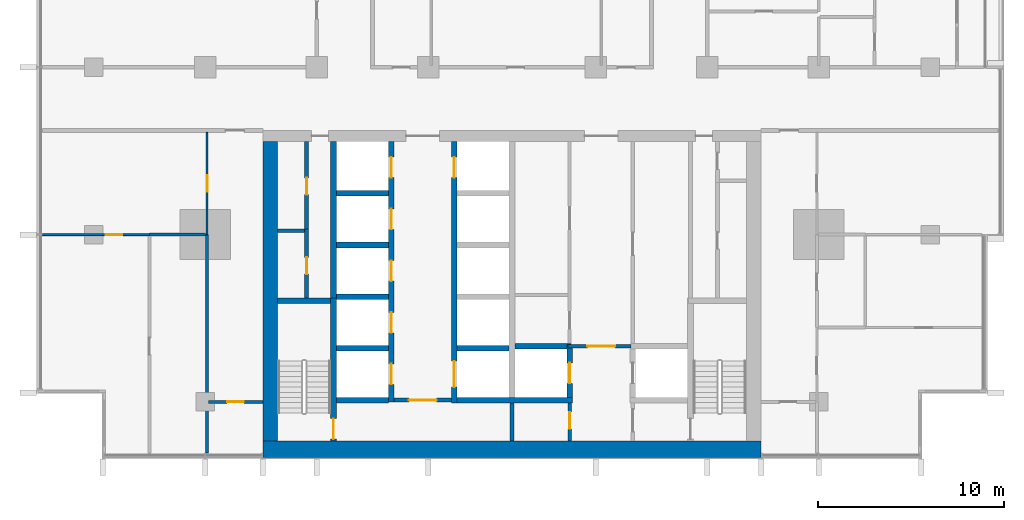
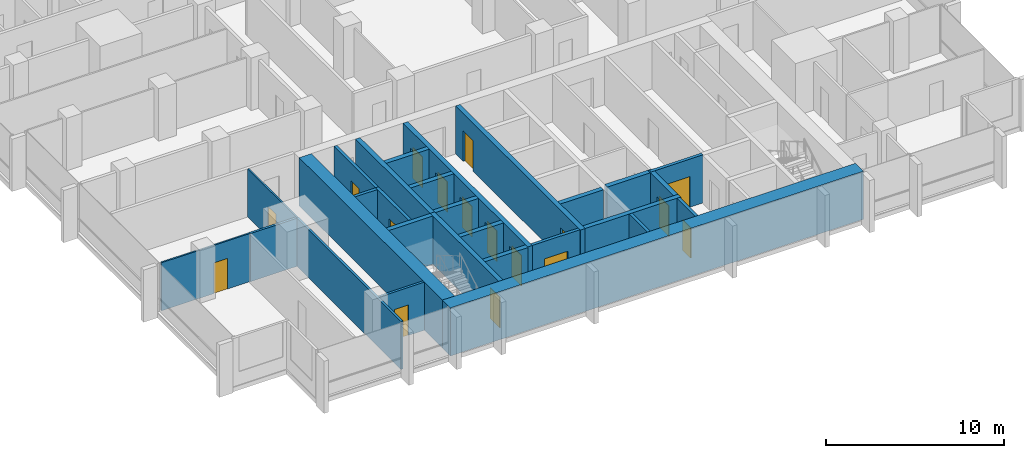
# One storey, part 7 of 17: 28 walls, 17 doors, 17 openings.
"""IFC4 building model written with IfcOpenShell, lengths in metres."""

from ifc_helpers import new_model, si_unit, direction, frame, frame_2d, origin, place, context, subcontext, project, spatial, rectangle, extrude, material, layer, layer_set, type_object, element, fill, save


model = new_model("IFC4")

# Units and contexts
model_context = context("Model", 3, precision=1e-05, world=origin(), true_north=direction((0.0, 1.0)))
body_context = subcontext(model_context, "Body", "Model", "MODEL_VIEW")
ifc_project = project(units=[si_unit("LENGTHUNIT", "METRE"), si_unit("AREAUNIT", "SQUARE_METRE"), si_unit("VOLUMEUNIT", "CUBIC_METRE"), si_unit("PLANEANGLEUNIT", "RADIAN"), si_unit("MASSUNIT", "GRAM", prefix="KILO")], contexts=[model_context])

# Site, building, storey
site_placement = place(None, origin())
site = spatial("IfcSite", under=ifc_project, at=site_placement, CompositionType="ELEMENT")
building_placement = place(site_placement, origin())
building = spatial("IfcBuilding", under=site, at=building_placement, Name="Finial Court Residences", CompositionType="ELEMENT")
storey_placement = place(building_placement, frame((0.0, 0.0, 95.5)))
storey = spatial("IfcBuildingStorey", under=building, at=storey_placement, Name="L23", CompositionType="ELEMENT", Elevation=95.5)

# Walls
ifc_material_1 = material(Name="Concrete C70/85", Category="concrete")
ifc_layer_1 = layer(ifc_material_1, 0.800048828125)
ifc_layer_set_1 = layer_set([ifc_layer_1], Name="Core outer wall 800 Concrete C70/85")
wall_type_1 = type_object("IfcWallType", Name="Core outer wall 800 Concrete C70/85", PredefinedType="SHEAR", material=ifc_layer_set_1)
wall_1_placement = place(storey_placement, frame((-13.0, -24.60009765625, 0.0), z_axis=(0.0, 0.0, 1.0), x_axis=(0.0, 1.0, 0.0)))
element("IfcWall", 1, at=wall_1_placement, inside=storey, type_object=wall_type_1, Name="Core outer wall L23-03", PredefinedType="SHEAR", context=body_context, shape_type="SweptSolid", body=[
    extrude(rectangle(XDim=16.10009765625, YDim=0.800048828125, at=frame_2d((8.050048828125, 0.0))), origin(), (0.0, 0.0, 1.0), 3.300048828125),
])
ifc_layer_2 = layer(ifc_material_1, 0.89990234375)
ifc_layer_set_2 = layer_set([ifc_layer_2], Name="Core south facade wall 900 Concrete C70/85")
wall_type_2 = type_object("IfcWallType", Name="Core south facade wall 900 Concrete C70/85", PredefinedType="SHEAR", material=ifc_layer_set_2)
wall_2_placement = place(storey_placement, frame((-13.39990234375, -25.050048828125, 0.0), z_axis=(0.0, 0.0, 1.0), x_axis=(1.0, 0.0, 0.0)))
element("IfcWall", 2, at=wall_2_placement, inside=storey, type_object=wall_type_2, Name="Core outer wall L23-01", PredefinedType="SHEAR", context=body_context, shape_type="SweptSolid", body=[
    extrude(rectangle(XDim=26.7998046875, YDim=0.89990234375, at=frame_2d((13.39990234375, 0.0))), origin(), (0.0, 0.0, 1.0), 3.300048828125),
])

# Wall, opening, door
ifc_material_2 = material(Name="Fire-rated gypsum board partition")
ifc_layer_3 = layer(ifc_material_2, 0.199951171875)
ifc_layer_set_3 = layer_set([ifc_layer_3], Name="Firefighting lobby wall 200 EI 120")
wall_type_3 = type_object("IfcWallType", Name="Firefighting lobby wall 200 EI 120", PredefinedType="PARTITIONING", material=ifc_layer_set_3)
wall_3_placement = place(storey_placement, frame((6.39990234375, -19.5, 0.0), z_axis=(0.0, 0.0, 1.0), x_axis=(-1.0, 0.0, 0.0)))
wall_3 = element("IfcWall", 3, at=wall_3_placement, inside=storey, type_object=wall_type_3, Name="Core partition L23-08", PredefinedType="PARTITIONING", context=body_context, shape_type="SweptSolid", body=[
    extrude(rectangle(XDim=3.375, YDim=0.199951171875, at=frame_2d((1.6875, 0.0))), origin(), (0.0, 0.0, 1.0), 3.300048828125),
])
opening_1_placement = place(wall_3_placement, frame((0.85009765625, 0.0, 0.0)))
opening_1 = element("IfcOpeningElement", 4, at=opening_1_placement, cuts=wall_3, Name="Opening L23-C02", PredefinedType="OPENING", context=body_context, shape_type="SweptSolid", body=[
    extrude(rectangle(XDim=1.5, YDim=2.10009765625, at=frame_2d((0.75, 1.050048828125))), frame((0.0, 0.10986328125, 0.0), z_axis=(0.0, -1.0, 0.0), x_axis=(1.0, 0.0, 0.0)), (0.0, 0.0, 1.0), 0.219970703125),
])
ifc_material_3 = material(Name="Steel fire door", Category="steel")
door_type_1 = type_object("IfcDoorType", Name="Firefighting lobby door 1500 x 2100 EI 90", OperationType="DOUBLE_DOOR_SINGLE_SWING", PredefinedType="DOOR", material=ifc_material_3)
door_1_placement = place(opening_1_placement, origin())
door_1 = element("IfcDoor", 5, at=door_1_placement, inside=storey, type_object=door_type_1, Name="Firefighting lobby door L23-C02", OperationType="DOUBLE_DOOR_SINGLE_SWING", OverallHeight=2.10009765625, OverallWidth=1.5, PredefinedType="DOOR", context=body_context, shape_type="SweptSolid", body=[
    extrude(rectangle(XDim=1.5, YDim=2.10009765625, at=frame_2d((0.75, 1.050048828125))), frame((0.0, 0.02490234375, 0.0), z_axis=(0.0, -1.0, 0.0), x_axis=(1.0, 0.0, 0.0)), (0.0, 0.0, 1.0), 0.050048828125),
])
fill(opening_1, door_1)

wall_4_placement = place(storey_placement, frame((3.10009765625, -24.60009765625, 0.0), z_axis=(0.0, 0.0, 1.0), x_axis=(0.0, 1.0, 0.0)))
wall_4 = element("IfcWall", 6, at=wall_4_placement, inside=storey, type_object=wall_type_3, Name="Core partition L23-29", PredefinedType="PARTITIONING", context=body_context, shape_type="SweptSolid", body=[
    extrude(rectangle(XDim=2.050048828125, YDim=0.199951171875, at=frame_2d((1.02490234375, 0.0))), origin(), (0.0, 0.0, 1.0), 3.300048828125),
])
opening_2_placement = place(wall_4_placement, frame((0.64990234375, 0.0, 0.0)))
opening_2 = element("IfcOpeningElement", 7, at=opening_2_placement, cuts=wall_4, Name="Opening L23-C06", PredefinedType="OPENING", context=body_context, shape_type="SweptSolid", body=[
    extrude(rectangle(XDim=0.89990234375, YDim=2.10009765625, at=frame_2d((0.449951171875, 1.050048828125))), frame((0.0, 0.10986328125, 0.0), z_axis=(0.0, -1.0, 0.0), x_axis=(1.0, 0.0, 0.0)), (0.0, 0.0, 1.0), 0.219970703125),
])
door_type_2 = type_object("IfcDoorType", Name="Riser room door 900 x 2100 EI 90", OperationType="NOTDEFINED", PredefinedType="DOOR", material=ifc_material_3)
door_2_placement = place(opening_2_placement, origin())
door_2 = element("IfcDoor", 8, at=door_2_placement, inside=storey, type_object=door_type_2, Name="Riser room door L23-C06", OperationType="SINGLE_SWING_LEFT", OverallHeight=2.10009765625, OverallWidth=0.89990234375, PredefinedType="DOOR", context=body_context, shape_type="SweptSolid", body=[
    extrude(rectangle(XDim=0.89990234375, YDim=2.10009765625, at=frame_2d((0.449951171875, 1.050048828125))), frame((0.0, 0.02490234375, 0.0), z_axis=(0.0, -1.0, 0.0), x_axis=(1.0, 0.0, 0.0)), (0.0, 0.0, 1.0), 0.050048828125),
])
fill(opening_2, door_2)

ifc_material_4 = material(Name="Gypsum board")
ifc_layer_4 = layer(ifc_material_4, 0.012451171875)
ifc_material_5 = material(Name="Mineral wool in light-gauge frame")
ifc_layer_5 = layer(ifc_material_5, 0.074951171875)
ifc_layer_6 = layer(ifc_material_4, 0.012451171875)
ifc_layer_set_4 = layer_set([ifc_layer_4, ifc_layer_5, ifc_layer_6], Name="Gypsum board partition 100")
wall_type_4 = type_object("IfcWallType", Name="Gypsum board partition 100", PredefinedType="PARTITIONING", material=ifc_layer_set_4)
wall_5_placement = place(storey_placement, frame((-25.25, -13.5, 0.0), z_axis=(0.0, 0.0, 1.0), x_axis=(1.0, 0.0, 0.0)))
wall_5 = element("IfcWall", 9, at=wall_5_placement, inside=storey, type_object=wall_type_4, Name="Partition L23-004", PredefinedType="PARTITIONING", context=body_context, shape_type="SweptSolid", body=[
    extrude(rectangle(XDim=5.75, YDim=0.10009765625, at=frame_2d((2.875, 0.0))), origin(), (0.0, 0.0, 1.0), 3.300048828125),
])
opening_3_placement = place(wall_5_placement, frame((3.39990234375, 0.0, 0.0)))
opening_3 = element("IfcOpeningElement", 10, at=opening_3_placement, cuts=wall_5, Name="Opening L23-D004", PredefinedType="OPENING", context=body_context, shape_type="SweptSolid", body=[
    extrude(rectangle(XDim=0.89990234375, YDim=2.10009765625, at=frame_2d((0.449951171875, 1.050048828125))), frame((0.0, 0.06005859375, 0.0), z_axis=(0.0, -1.0, 0.0), x_axis=(1.0, 0.0, 0.0)), (0.0, 0.0, 1.0), 0.1201171875),
])
ifc_material_6 = material(Name="Timber door leaf in timber frame", Category="wood")
door_type_3 = type_object("IfcDoorType", Name="Door set 900 x 2100", OperationType="SINGLE_SWING_LEFT", PredefinedType="DOOR", material=ifc_material_6)
door_3_placement = place(opening_3_placement, origin())
door_3 = element("IfcDoor", 11, at=door_3_placement, inside=storey, type_object=door_type_3, Name="Door L23-D004", OperationType="SINGLE_SWING_RIGHT", OverallHeight=2.10009765625, OverallWidth=0.89990234375, PredefinedType="DOOR", context=body_context, shape_type="SweptSolid", body=[
    extrude(rectangle(XDim=0.89990234375, YDim=2.10009765625, at=frame_2d((0.449951171875, 1.050048828125))), frame((0.0, 0.02490234375, 0.0), z_axis=(0.0, -1.0, 0.0), x_axis=(1.0, 0.0, 0.0)), (0.0, 0.0, 1.0), 0.050048828125),
])
fill(opening_3, door_3)

wall_6_placement = place(storey_placement, frame((-16.39990234375, -13.5, 0.0), z_axis=(0.0, 0.0, 1.0), x_axis=(0.0, 1.0, 0.0)))
wall_6 = element("IfcWall", 12, at=wall_6_placement, inside=storey, type_object=wall_type_4, Name="Partition L23-044", PredefinedType="PARTITIONING", context=body_context, shape_type="SweptSolid", body=[
    extrude(rectangle(XDim=5.5, YDim=0.10009765625, at=frame_2d((2.75, 0.0))), origin(), (0.0, 0.0, 1.0), 3.300048828125),
])
opening_4_placement = place(wall_6_placement, frame((2.300048828125, 0.0, 0.0)))
opening_4 = element("IfcOpeningElement", 13, at=opening_4_placement, cuts=wall_6, Name="Opening L23-D030", PredefinedType="OPENING", context=body_context, shape_type="SweptSolid", body=[
    extrude(rectangle(XDim=0.89990234375, YDim=2.10009765625, at=frame_2d((0.449951171875, 1.050048828125))), frame((0.0, 0.06005859375, 0.0), z_axis=(0.0, -1.0, 0.0), x_axis=(1.0, 0.0, 0.0)), (0.0, 0.0, 1.0), 0.1201171875),
])
door_4_placement = place(opening_4_placement, origin())
door_4 = element("IfcDoor", 14, at=door_4_placement, inside=storey, type_object=door_type_3, Name="Door L23-D030", OperationType="SINGLE_SWING_LEFT", OverallHeight=2.10009765625, OverallWidth=0.89990234375, PredefinedType="DOOR", context=body_context, shape_type="SweptSolid", body=[
    extrude(rectangle(XDim=0.89990234375, YDim=2.10009765625, at=frame_2d((0.449951171875, 1.050048828125))), frame((0.0, 0.02490234375, 0.0), z_axis=(0.0, -1.0, 0.0), x_axis=(1.0, 0.0, 0.0)), (0.0, 0.0, 1.0), 0.050048828125),
])
fill(opening_4, door_4)

ifc_material_7 = material(Name="Moisture-resistant gypsum board")
ifc_layer_7 = layer(ifc_material_7, 0.012451171875)
ifc_layer_8 = layer(ifc_material_5, 0.125)
ifc_layer_9 = layer(ifc_material_7, 0.012451171875)
ifc_layer_set_5 = layer_set([ifc_layer_7, ifc_layer_8, ifc_layer_9], Name="Gypsum board wet-area partition 150")
wall_type_5 = type_object("IfcWallType", Name="Gypsum board wet-area partition 150", PredefinedType="PARTITIONING", material=ifc_layer_set_5)
wall_7_placement = place(storey_placement, frame((-16.324951171875, -22.5, 0.0), z_axis=(0.0, 0.0, 1.0), x_axis=(1.0, 0.0, 0.0)))
wall_7 = element("IfcWall", 15, at=wall_7_placement, inside=storey, type_object=wall_type_5, Name="Partition L23-000", PredefinedType="PARTITIONING", context=body_context, shape_type="SweptSolid", body=[
    extrude(rectangle(XDim=2.925048828125, YDim=0.14990234375, at=frame_2d((1.46240234375, 0.0))), origin(), (0.0, 0.0, 1.0), 3.300048828125),
])
opening_5_placement = place(wall_7_placement, frame((1.0, 0.0, 0.0)))
opening_5 = element("IfcOpeningElement", 16, at=opening_5_placement, cuts=wall_7, Name="Opening L23-D001", PredefinedType="OPENING", context=body_context, shape_type="SweptSolid", body=[
    extrude(rectangle(XDim=0.89990234375, YDim=2.10009765625, at=frame_2d((0.449951171875, 1.050048828125))), frame((0.0, 0.0849609375, 0.0), z_axis=(0.0, -1.0, 0.0), x_axis=(1.0, 0.0, 0.0)), (0.0, 0.0, 1.0), 0.169921875),
])
door_5_placement = place(opening_5_placement, origin())
door_5 = element("IfcDoor", 17, at=door_5_placement, inside=storey, type_object=door_type_3, Name="Door L23-D001", OperationType="SINGLE_SWING_RIGHT", OverallHeight=2.10009765625, OverallWidth=0.89990234375, PredefinedType="DOOR", context=body_context, shape_type="SweptSolid", body=[
    extrude(rectangle(XDim=0.89990234375, YDim=2.10009765625, at=frame_2d((0.449951171875, 1.050048828125))), frame((0.0, 0.02490234375, 0.0), z_axis=(0.0, -1.0, 0.0), x_axis=(1.0, 0.0, 0.0)), (0.0, 0.0, 1.0), 0.050048828125),
])
fill(opening_5, door_5)

# Walls
wall_8_placement = place(storey_placement, frame((-19.5, -13.5, 0.0), z_axis=(0.0, 0.0, 1.0), x_axis=(1.0, 0.0, 0.0)))
element("IfcWall", 18, at=wall_8_placement, inside=storey, type_object=wall_type_5, Name="Partition L23-006", PredefinedType="PARTITIONING", context=body_context, shape_type="SweptSolid", body=[
    extrude(rectangle(XDim=3.02490234375, YDim=0.14990234375, at=frame_2d((1.512451171875, 0.0))), origin(), (0.0, 0.0, 1.0), 3.300048828125),
])
wall_9_placement = place(storey_placement, frame((-16.39990234375, -25.25, 0.0), z_axis=(0.0, 0.0, 1.0), x_axis=(0.0, 1.0, 0.0)))
element("IfcWall", 19, at=wall_9_placement, inside=storey, type_object=wall_type_5, Name="Partition L23-045", PredefinedType="PARTITIONING", context=body_context, shape_type="SweptSolid", body=[
    extrude(rectangle(XDim=11.75, YDim=0.14990234375, at=frame_2d((5.875, 0.0))), origin(), (0.0, 0.0, 1.0), 3.300048828125),
])
ifc_layer_10 = layer(ifc_material_1, 0.300048828125)
ifc_layer_set_6 = layer_set([ifc_layer_10], Name="Lift shaft and stair wall 300 Concrete C70/85")
wall_type_6 = type_object("IfcWallType", Name="Lift shaft and stair wall 300 Concrete C70/85", PredefinedType="SHEAR", material=ifc_layer_set_6)
wall_10_placement = place(storey_placement, frame((-9.449951171875, -22.39990234375, 0.0), z_axis=(0.0, 0.0, 1.0), x_axis=(1.0, 0.0, 0.0)))
element("IfcWall", 20, at=wall_10_placement, inside=storey, type_object=wall_type_6, Name="Core wall L23-01", PredefinedType="SHEAR", context=body_context, shape_type="SweptSolid", body=[
    extrude(rectangle(XDim=2.800048828125, YDim=0.300048828125, at=frame_2d((1.39990234375, 0.0))), origin(), (0.0, 0.0, 1.0), 3.300048828125),
])
wall_11_placement = place(storey_placement, frame((-2.949951171875, -22.39990234375, 0.0), z_axis=(0.0, 0.0, 1.0), x_axis=(1.0, 0.0, 0.0)))
element("IfcWall", 21, at=wall_11_placement, inside=storey, type_object=wall_type_6, Name="Core wall L23-03", PredefinedType="SHEAR", context=body_context, shape_type="SweptSolid", body=[
    extrude(rectangle(XDim=6.199951171875, YDim=0.300048828125, at=frame_2d((3.10009765625, 0.0))), origin(), (0.0, 0.0, 1.0), 3.300048828125),
])
for number, where, z_axis, x_axis, name in (
    (22, (-9.449951171875, -19.6201171875, 0.0), (0.0, 0.0, 1.0), (1.0, 0.0, 0.0), "Core wall L23-05"),
    (23, (-2.949951171875, -19.6201171875, 0.0), (0.0, 0.0, 1.0), (1.0, 0.0, 0.0), "Core wall L23-06"),
):
    element("IfcWall", number, at=place(storey_placement, frame(where, z_axis=z_axis, x_axis=x_axis)), inside=storey, type_object=wall_type_6, Name=name, PredefinedType="SHEAR", context=body_context, shape_type="SweptSolid", body=[
        extrude(rectangle(XDim=2.800048828125, YDim=0.300048828125, at=frame_2d((1.39990234375, 0.0))), origin(), (0.0, 0.0, 1.0), 3.300048828125),
    ])
wall_12_placement = place(storey_placement, frame((0.14990234375, -19.5, 0.0), z_axis=(0.0, 0.0, 1.0), x_axis=(1.0, 0.0, 0.0)))
element("IfcWall", 24, at=wall_12_placement, inside=storey, type_object=wall_type_6, Name="Core wall L23-07", PredefinedType="SHEAR", context=body_context, shape_type="SweptSolid", body=[
    extrude(rectangle(XDim=3.025146484375, YDim=0.300048828125, at=frame_2d((1.5126953125, 0.0))), origin(), (0.0, 0.0, 1.0), 3.300048828125),
])
wall_13_placement = place(storey_placement, frame((-12.60009765625, -17.050048828125, 0.0), z_axis=(0.0, 0.0, 1.0), x_axis=(1.0, 0.0, 0.0)))
element("IfcWall", 25, at=wall_13_placement, inside=storey, type_object=wall_type_6, Name="Core wall L23-10", PredefinedType="SHEAR", context=body_context, shape_type="SweptSolid", body=[
    extrude(rectangle(XDim=2.85009765625, YDim=0.300048828125, at=frame_2d((1.425048828125, 0.0))), origin(), (0.0, 0.0, 1.0), 3.300048828125),
])
for number, where, z_axis, x_axis, name in (
    (26, (-9.449951171875, -16.840087890625, 0.0), (0.0, 0.0, 1.0), (1.0, 0.0, 0.0), "Core wall L23-12"),
    (27, (-9.449951171875, -14.06005859375, 0.0), (0.0, 0.0, 1.0), (1.0, 0.0, 0.0), "Core wall L23-15"),
    (28, (-9.449951171875, -11.280029296875, 0.0), (0.0, 0.0, 1.0), (1.0, 0.0, 0.0), "Core wall L23-18"),
):
    element("IfcWall", number, at=place(storey_placement, frame(where, z_axis=z_axis, x_axis=x_axis)), inside=storey, type_object=wall_type_6, Name=name, PredefinedType="SHEAR", context=body_context, shape_type="SweptSolid", body=[
        extrude(rectangle(XDim=2.800048828125, YDim=0.300048828125, at=frame_2d((1.39990234375, 0.0))), origin(), (0.0, 0.0, 1.0), 3.300048828125),
    ])

# Wall, opening, door
wall_14_placement = place(storey_placement, frame((-9.60009765625, -24.60009765625, 0.0), z_axis=(0.0, 0.0, 1.0), x_axis=(0.0, 1.0, 0.0)))
wall_14 = element("IfcWall", 29, at=wall_14_placement, inside=storey, type_object=wall_type_6, Name="Core wall L23-23", PredefinedType="SHEAR", context=body_context, shape_type="SweptSolid", body=[
    extrude(rectangle(XDim=7.7001953125, YDim=0.300048828125, at=frame_2d((3.85009765625, 0.0))), origin(), (0.0, 0.0, 1.0), 3.300048828125),
])
opening_6_placement = place(wall_14_placement, frame((0.10009765625, 0.0, 0.0)))
opening_6 = element("IfcOpeningElement", 30, at=opening_6_placement, cuts=wall_14, Name="Opening L23-C16", PredefinedType="OPENING", context=body_context, shape_type="SweptSolid", body=[
    extrude(rectangle(XDim=1.10009765625, YDim=2.10009765625, at=frame_2d((0.550048828125, 1.050048828125))), frame((0.0, 0.159912109375, 0.0), z_axis=(0.0, -1.0, 0.0), x_axis=(1.0, 0.0, 0.0)), (0.0, 0.0, 1.0), 0.320068359375),
])
door_type_4 = type_object("IfcDoorType", Name="Stair door 1100 x 2100 EI 90", OperationType="NOTDEFINED", PredefinedType="DOOR", material=ifc_material_3)
door_6_placement = place(opening_6_placement, origin())
door_6 = element("IfcDoor", 31, at=door_6_placement, inside=storey, type_object=door_type_4, Name="Stair door L23-C16", OperationType="SINGLE_SWING_LEFT", OverallHeight=2.10009765625, OverallWidth=1.10009765625, PredefinedType="DOOR", context=body_context, shape_type="SweptSolid", body=[
    extrude(rectangle(XDim=1.10009765625, YDim=2.10009765625, at=frame_2d((0.550048828125, 1.050048828125))), frame((0.0, 0.02490234375, 0.0), z_axis=(0.0, -1.0, 0.0), x_axis=(1.0, 0.0, 0.0)), (0.0, 0.0, 1.0), 0.050048828125),
])
fill(opening_6, door_6)

# Wall
wall_15_placement = place(storey_placement, frame((-9.60009765625, -17.199951171875, 0.0), z_axis=(0.0, 0.0, 1.0), x_axis=(0.0, 1.0, 0.0)))
element("IfcWall", 32, at=wall_15_placement, inside=storey, type_object=wall_type_6, Name="Core wall L23-24", PredefinedType="SHEAR", context=body_context, shape_type="SweptSolid", body=[
    extrude(rectangle(XDim=8.699951171875, YDim=0.300048828125, at=frame_2d((4.35009765625, 0.0))), origin(), (0.0, 0.0, 1.0), 3.300048828125),
])

# Wall, openings, doors
wall_16_placement = place(storey_placement, frame((-6.5, -22.5, 0.0), z_axis=(0.0, 0.0, 1.0), x_axis=(0.0, 1.0, 0.0)))
wall_16 = element("IfcWall", 33, at=wall_16_placement, inside=storey, type_object=wall_type_6, Name="Core wall L23-25", PredefinedType="SHEAR", context=body_context, shape_type="SweptSolid", body=[
    extrude(rectangle(XDim=14.0, YDim=0.300048828125, at=frame_2d((7.0, 0.0))), origin(), (0.0, 0.0, 1.0), 3.300048828125),
])
opening_7_placement = place(wall_16_placement, frame((0.93994140625, 0.0, 0.0)))
opening_7 = element("IfcOpeningElement", 34, at=opening_7_placement, cuts=wall_16, Name="Opening L23-LD03", PredefinedType="OPENING", context=body_context, shape_type="SweptSolid", body=[
    extrude(rectangle(XDim=1.10009765625, YDim=2.10009765625, at=frame_2d((0.550048828125, 1.050048828125))), frame((0.0, 0.159912109375, 0.0), z_axis=(0.0, -1.0, 0.0), x_axis=(1.0, 0.0, 0.0)), (0.0, 0.0, 1.0), 0.320068359375),
])
opening_8_placement = place(wall_16_placement, frame((3.719970703125, 0.0, 0.0)))
opening_8 = element("IfcOpeningElement", 35, at=opening_8_placement, cuts=wall_16, Name="Opening L23-LD04", PredefinedType="OPENING", context=body_context, shape_type="SweptSolid", body=[
    extrude(rectangle(XDim=1.10009765625, YDim=2.10009765625, at=frame_2d((0.550048828125, 1.050048828125))), frame((0.0, 0.159912109375, 0.0), z_axis=(0.0, -1.0, 0.0), x_axis=(1.0, 0.0, 0.0)), (0.0, 0.0, 1.0), 0.320068359375),
])
opening_9_placement = place(wall_16_placement, frame((6.5, 0.0, 0.0)))
opening_9 = element("IfcOpeningElement", 36, at=opening_9_placement, cuts=wall_16, Name="Opening L23-LD05", PredefinedType="OPENING", context=body_context, shape_type="SweptSolid", body=[
    extrude(rectangle(XDim=1.10009765625, YDim=2.10009765625, at=frame_2d((0.550048828125, 1.050048828125))), frame((0.0, 0.159912109375, 0.0), z_axis=(0.0, -1.0, 0.0), x_axis=(1.0, 0.0, 0.0)), (0.0, 0.0, 1.0), 0.320068359375),
])
opening_10_placement = place(wall_16_placement, frame((9.280029296875, 0.0, 0.0)))
opening_10 = element("IfcOpeningElement", 37, at=opening_10_placement, cuts=wall_16, Name="Opening L23-LD06", PredefinedType="OPENING", context=body_context, shape_type="SweptSolid", body=[
    extrude(rectangle(XDim=1.10009765625, YDim=2.10009765625, at=frame_2d((0.550048828125, 1.050048828125))), frame((0.0, 0.159912109375, 0.0), z_axis=(0.0, -1.0, 0.0), x_axis=(1.0, 0.0, 0.0)), (0.0, 0.0, 1.0), 0.320068359375),
])
opening_11_placement = place(wall_16_placement, frame((12.06005859375, 0.0, 0.0)))
opening_11 = element("IfcOpeningElement", 38, at=opening_11_placement, cuts=wall_16, Name="Opening L23-LD07", PredefinedType="OPENING", context=body_context, shape_type="SweptSolid", body=[
    extrude(rectangle(XDim=1.10009765625, YDim=2.10009765625, at=frame_2d((0.550048828125, 1.050048828125))), frame((0.0, 0.159912109375, 0.0), z_axis=(0.0, -1.0, 0.0), x_axis=(1.0, 0.0, 0.0)), (0.0, 0.0, 1.0), 0.320068359375),
])
ifc_material_8 = material(Name="Stainless steel lift door", Category="steel")
door_type_5 = type_object("IfcDoorType", Name="Lift landing door 1100 x 2100 EI 90", OperationType="DOUBLE_DOOR_SLIDING", PredefinedType="DOOR", material=ifc_material_8)
door_7_placement = place(opening_7_placement, origin())
door_7 = element("IfcDoor", 39, at=door_7_placement, inside=storey, type_object=door_type_5, Name="Lift landing door LR1 L23", OperationType="DOUBLE_DOOR_SLIDING", OverallHeight=2.10009765625, OverallWidth=1.10009765625, PredefinedType="DOOR", context=body_context, shape_type="SweptSolid", body=[
    extrude(rectangle(XDim=1.10009765625, YDim=2.10009765625, at=frame_2d((0.550048828125, 1.050048828125))), frame((0.0, 0.02490234375, 0.0), z_axis=(0.0, -1.0, 0.0), x_axis=(1.0, 0.0, 0.0)), (0.0, 0.0, 1.0), 0.050048828125),
])
fill(opening_7, door_7)
door_8_placement = place(opening_8_placement, origin())
door_8 = element("IfcDoor", 40, at=door_8_placement, inside=storey, type_object=door_type_5, Name="Lift landing door LR2 L23", OperationType="DOUBLE_DOOR_SLIDING", OverallHeight=2.10009765625, OverallWidth=1.10009765625, PredefinedType="DOOR", context=body_context, shape_type="SweptSolid", body=[
    extrude(rectangle(XDim=1.10009765625, YDim=2.10009765625, at=frame_2d((0.550048828125, 1.050048828125))), frame((0.0, 0.02490234375, 0.0), z_axis=(0.0, -1.0, 0.0), x_axis=(1.0, 0.0, 0.0)), (0.0, 0.0, 1.0), 0.050048828125),
])
fill(opening_8, door_8)
door_9_placement = place(opening_9_placement, origin())
door_9 = element("IfcDoor", 41, at=door_9_placement, inside=storey, type_object=door_type_5, Name="Lift landing door LR3 L23", OperationType="DOUBLE_DOOR_SLIDING", OverallHeight=2.10009765625, OverallWidth=1.10009765625, PredefinedType="DOOR", context=body_context, shape_type="SweptSolid", body=[
    extrude(rectangle(XDim=1.10009765625, YDim=2.10009765625, at=frame_2d((0.550048828125, 1.050048828125))), frame((0.0, 0.02490234375, 0.0), z_axis=(0.0, -1.0, 0.0), x_axis=(1.0, 0.0, 0.0)), (0.0, 0.0, 1.0), 0.050048828125),
])
fill(opening_9, door_9)
door_10_placement = place(opening_10_placement, origin())
door_10 = element("IfcDoor", 42, at=door_10_placement, inside=storey, type_object=door_type_5, Name="Lift landing door LR4 L23", OperationType="DOUBLE_DOOR_SLIDING", OverallHeight=2.10009765625, OverallWidth=1.10009765625, PredefinedType="DOOR", context=body_context, shape_type="SweptSolid", body=[
    extrude(rectangle(XDim=1.10009765625, YDim=2.10009765625, at=frame_2d((0.550048828125, 1.050048828125))), frame((0.0, 0.02490234375, 0.0), z_axis=(0.0, -1.0, 0.0), x_axis=(1.0, 0.0, 0.0)), (0.0, 0.0, 1.0), 0.050048828125),
])
fill(opening_10, door_10)
door_11_placement = place(opening_11_placement, origin())
door_11 = element("IfcDoor", 43, at=door_11_placement, inside=storey, type_object=door_type_5, Name="Lift landing door LR5 L23", OperationType="DOUBLE_DOOR_SLIDING", OverallHeight=2.10009765625, OverallWidth=1.10009765625, PredefinedType="DOOR", context=body_context, shape_type="SweptSolid", body=[
    extrude(rectangle(XDim=1.10009765625, YDim=2.10009765625, at=frame_2d((0.550048828125, 1.050048828125))), frame((0.0, 0.02490234375, 0.0), z_axis=(0.0, -1.0, 0.0), x_axis=(1.0, 0.0, 0.0)), (0.0, 0.0, 1.0), 0.050048828125),
])
fill(opening_11, door_11)

wall_17_placement = place(storey_placement, frame((-3.10009765625, -22.550048828125, 0.0), z_axis=(0.0, 0.0, 1.0), x_axis=(0.0, 1.0, 0.0)))
wall_17 = element("IfcWall", 44, at=wall_17_placement, inside=storey, type_object=wall_type_6, Name="Core wall L23-26", PredefinedType="SHEAR", context=body_context, shape_type="SweptSolid", body=[
    extrude(rectangle(XDim=14.050048828125, YDim=0.300048828125, at=frame_2d((7.02490234375, 0.0))), origin(), (0.0, 0.0, 1.0), 3.300048828125),
])
opening_12_placement = place(wall_17_placement, frame((12.110107421875, 0.0, 0.0)))
opening_12 = element("IfcOpeningElement", 45, at=opening_12_placement, cuts=wall_17, Name="Opening L23-LD08", PredefinedType="OPENING", context=body_context, shape_type="SweptSolid", body=[
    extrude(rectangle(XDim=1.10009765625, YDim=2.10009765625, at=frame_2d((0.550048828125, 1.050048828125))), frame((0.0, 0.159912109375, 0.0), z_axis=(0.0, -1.0, 0.0), x_axis=(1.0, 0.0, 0.0)), (0.0, 0.0, 1.0), 0.320068359375),
])
opening_13_placement = place(wall_17_placement, frame((0.840087890625, 0.0, 0.0)))
opening_13 = element("IfcOpeningElement", 46, at=opening_13_placement, cuts=wall_17, Name="Opening L23-LD09", PredefinedType="OPENING", context=body_context, shape_type="SweptSolid", body=[
    extrude(rectangle(XDim=1.39990234375, YDim=2.10009765625, at=frame_2d((0.699951171875, 1.050048828125))), frame((0.0, 0.159912109375, 0.0), z_axis=(0.0, -1.0, 0.0), x_axis=(1.0, 0.0, 0.0)), (0.0, 0.0, 1.0), 0.320068359375),
])
door_12_placement = place(opening_12_placement, origin())
door_12 = element("IfcDoor", 47, at=door_12_placement, inside=storey, type_object=door_type_5, Name="Lift landing door LR6 L23", OperationType="DOUBLE_DOOR_SLIDING", OverallHeight=2.10009765625, OverallWidth=1.10009765625, PredefinedType="DOOR", context=body_context, shape_type="SweptSolid", body=[
    extrude(rectangle(XDim=1.10009765625, YDim=2.10009765625, at=frame_2d((0.550048828125, 1.050048828125))), frame((0.0, 0.02490234375, 0.0), z_axis=(0.0, -1.0, 0.0), x_axis=(1.0, 0.0, 0.0)), (0.0, 0.0, 1.0), 0.050048828125),
])
fill(opening_12, door_12)
door_type_6 = type_object("IfcDoorType", Name="Lift landing door 1400 x 2100 EI 90", OperationType="DOUBLE_DOOR_SLIDING", PredefinedType="DOOR", material=ifc_material_8)
door_13_placement = place(opening_13_placement, origin())
door_13 = element("IfcDoor", 48, at=door_13_placement, inside=storey, type_object=door_type_6, Name="Lift landing door SV1 L23", OperationType="DOUBLE_DOOR_SLIDING", OverallHeight=2.10009765625, OverallWidth=1.39990234375, PredefinedType="DOOR", context=body_context, shape_type="SweptSolid", body=[
    extrude(rectangle(XDim=1.39990234375, YDim=2.10009765625, at=frame_2d((0.699951171875, 1.050048828125))), frame((0.0, 0.02490234375, 0.0), z_axis=(0.0, -1.0, 0.0), x_axis=(1.0, 0.0, 0.0)), (0.0, 0.0, 1.0), 0.050048828125),
])
fill(opening_13, door_13)

# Wall, opening, door
wall_18_placement = place(storey_placement, frame((3.10009765625, -22.25, 0.0), z_axis=(0.0, 0.0, 1.0), x_axis=(0.0, 1.0, 0.0)))
wall_18 = element("IfcWall", 49, at=wall_18_placement, inside=storey, type_object=wall_type_6, Name="Core wall L23-30", PredefinedType="SHEAR", context=body_context, shape_type="SweptSolid", body=[
    extrude(rectangle(XDim=2.85009765625, YDim=0.300048828125, at=frame_2d((1.425048828125, 0.0))), origin(), (0.0, 0.0, 1.0), 3.300048828125),
])
opening_14_placement = place(wall_18_placement, frame((0.75, 0.0, 0.0)))
opening_14 = element("IfcOpeningElement", 50, at=opening_14_placement, cuts=wall_18, Name="Opening L23-LD01", PredefinedType="OPENING", context=body_context, shape_type="SweptSolid", body=[
    extrude(rectangle(XDim=1.10009765625, YDim=2.10009765625, at=frame_2d((0.550048828125, 1.050048828125))), frame((0.0, 0.159912109375, 0.0), z_axis=(0.0, -1.0, 0.0), x_axis=(1.0, 0.0, 0.0)), (0.0, 0.0, 1.0), 0.320068359375),
])
door_14_placement = place(opening_14_placement, origin())
door_14 = element("IfcDoor", 51, at=door_14_placement, inside=storey, type_object=door_type_5, Name="Lift landing door FF1 L23", OperationType="DOUBLE_DOOR_SLIDING", OverallHeight=2.10009765625, OverallWidth=1.10009765625, PredefinedType="DOOR", context=body_context, shape_type="SweptSolid", body=[
    extrude(rectangle(XDim=1.10009765625, YDim=2.10009765625, at=frame_2d((0.550048828125, 1.050048828125))), frame((0.0, 0.02490234375, 0.0), z_axis=(0.0, -1.0, 0.0), x_axis=(1.0, 0.0, 0.0)), (0.0, 0.0, 1.0), 0.050048828125),
])
fill(opening_14, door_14)

# Wall
ifc_layer_11 = layer(ifc_material_2, 0.199951171875)
ifc_layer_set_7 = layer_set([ifc_layer_11], Name="Riser room wall 200 EI 120")
wall_type_7 = type_object("IfcWallType", Name="Riser room wall 200 EI 120", PredefinedType="PARTITIONING", material=ifc_layer_set_7)
wall_19_placement = place(storey_placement, frame((-12.60009765625, -13.300048828125, 0.0), z_axis=(0.0, 0.0, 1.0), x_axis=(1.0, 0.0, 0.0)))
element("IfcWall", 52, at=wall_19_placement, inside=storey, type_object=wall_type_7, Name="Core partition L23-17", PredefinedType="PARTITIONING", context=body_context, shape_type="SweptSolid", body=[
    extrude(rectangle(XDim=1.4501953125, YDim=0.199951171875, at=frame_2d((0.72509765625, 0.0))), origin(), (0.0, 0.0, 1.0), 3.300048828125),
])

# Wall, opening, door
wall_20_placement = place(storey_placement, frame((-11.050048828125, -13.39990234375, 0.0), z_axis=(0.0, 0.0, 1.0), x_axis=(0.0, 1.0, 0.0)))
wall_20 = element("IfcWall", 53, at=wall_20_placement, inside=storey, type_object=wall_type_7, Name="Core partition L23-22", PredefinedType="PARTITIONING", context=body_context, shape_type="SweptSolid", body=[
    extrude(rectangle(XDim=4.89990234375, YDim=0.199951171875, at=frame_2d((2.449951171875, 0.0))), origin(), (0.0, 0.0, 1.0), 3.300048828125),
])
opening_15_placement = place(wall_20_placement, frame((2.050048828125, 0.0, 0.0)))
opening_15 = element("IfcOpeningElement", 54, at=opening_15_placement, cuts=wall_20, Name="Opening L23-C07", PredefinedType="OPENING", context=body_context, shape_type="SweptSolid", body=[
    extrude(rectangle(XDim=0.89990234375, YDim=2.10009765625, at=frame_2d((0.449951171875, 1.050048828125))), frame((0.0, 0.10986328125, 0.0), z_axis=(0.0, -1.0, 0.0), x_axis=(1.0, 0.0, 0.0)), (0.0, 0.0, 1.0), 0.219970703125),
])
door_15_placement = place(opening_15_placement, origin())
door_15 = element("IfcDoor", 55, at=door_15_placement, inside=storey, type_object=door_type_2, Name="Riser room door L23-C07", OperationType="SINGLE_SWING_LEFT", OverallHeight=2.10009765625, OverallWidth=0.89990234375, PredefinedType="DOOR", context=body_context, shape_type="SweptSolid", body=[
    extrude(rectangle(XDim=0.89990234375, YDim=2.10009765625, at=frame_2d((0.449951171875, 1.050048828125))), frame((0.0, 0.02490234375, 0.0), z_axis=(0.0, -1.0, 0.0), x_axis=(1.0, 0.0, 0.0)), (0.0, 0.0, 1.0), 0.050048828125),
])
fill(opening_15, door_15)

# Wall
wall_21_placement = place(storey_placement, frame((0.0, -24.60009765625, 0.0), z_axis=(0.0, 0.0, 1.0), x_axis=(0.0, 1.0, 0.0)))
element("IfcWall", 56, at=wall_21_placement, inside=storey, type_object=wall_type_7, Name="Core partition L23-27", PredefinedType="PARTITIONING", context=body_context, shape_type="SweptSolid", body=[
    extrude(rectangle(XDim=2.050048828125, YDim=0.199951171875, at=frame_2d((1.02490234375, 0.0))), origin(), (0.0, 0.0, 1.0), 3.300048828125),
])

# Wall, opening, door
ifc_layer_12 = layer(ifc_material_2, 0.199951171875)
ifc_layer_set_8 = layer_set([ifc_layer_12], Name="Stair passage wall 200 EI 180")
wall_type_8 = type_object("IfcWallType", Name="Stair passage wall 200 EI 180", PredefinedType="PARTITIONING", material=ifc_layer_set_8)
wall_22_placement = place(storey_placement, frame((-3.25, -22.39990234375, 0.0), z_axis=(0.0, 0.0, 1.0), x_axis=(-1.0, 0.0, 0.0)))
wall_22 = element("IfcWall", 57, at=wall_22_placement, inside=storey, type_object=wall_type_8, Name="Core partition L23-02", PredefinedType="PARTITIONING", context=body_context, shape_type="SweptSolid", body=[
    extrude(rectangle(XDim=3.10009765625, YDim=0.199951171875, at=frame_2d((1.550048828125, 0.0))), origin(), (0.0, 0.0, 1.0), 3.300048828125),
])
opening_16_placement = place(wall_22_placement, frame((0.800048828125, 0.0, 0.0)))
opening_16 = element("IfcOpeningElement", 58, at=opening_16_placement, cuts=wall_22, Name="Opening L23-C03", PredefinedType="OPENING", context=body_context, shape_type="SweptSolid", body=[
    extrude(rectangle(XDim=1.5, YDim=2.10009765625, at=frame_2d((0.75, 1.050048828125))), frame((0.0, 0.10986328125, 0.0), z_axis=(0.0, -1.0, 0.0), x_axis=(1.0, 0.0, 0.0)), (0.0, 0.0, 1.0), 0.219970703125),
])
door_type_7 = type_object("IfcDoorType", Name="Lift lobby door 1500 x 2100 EI 60", OperationType="DOUBLE_DOOR_SINGLE_SWING", PredefinedType="DOOR", material=ifc_material_3)
door_16_placement = place(opening_16_placement, origin())
door_16 = element("IfcDoor", 59, at=door_16_placement, inside=storey, type_object=door_type_7, Name="Lift lobby door L23-C03", OperationType="DOUBLE_DOOR_SINGLE_SWING", OverallHeight=2.10009765625, OverallWidth=1.5, PredefinedType="DOOR", context=body_context, shape_type="SweptSolid", body=[
    extrude(rectangle(XDim=1.5, YDim=2.10009765625, at=frame_2d((0.75, 1.050048828125))), frame((0.0, 0.02490234375, 0.0), z_axis=(0.0, -1.0, 0.0), x_axis=(1.0, 0.0, 0.0)), (0.0, 0.0, 1.0), 0.050048828125),
])
fill(opening_16, door_16)

wall_23_placement = place(storey_placement, frame((-11.050048828125, -16.89990234375, 0.0), z_axis=(0.0, 0.0, 1.0), x_axis=(0.0, 1.0, 0.0)))
wall_23 = element("IfcWall", 60, at=wall_23_placement, inside=storey, type_object=wall_type_8, Name="Core partition L23-21", PredefinedType="PARTITIONING", context=body_context, shape_type="SweptSolid", body=[
    extrude(rectangle(XDim=3.699951171875, YDim=0.199951171875, at=frame_2d((1.85009765625, 0.0))), origin(), (0.0, 0.0, 1.0), 3.300048828125),
])
opening_17_placement = place(wall_23_placement, frame((1.27490234375, 0.0, 0.0)))
opening_17 = element("IfcOpeningElement", 61, at=opening_17_placement, cuts=wall_23, Name="Opening L23-C12", PredefinedType="OPENING", context=body_context, shape_type="SweptSolid", body=[
    extrude(rectangle(XDim=0.89990234375, YDim=2.10009765625, at=frame_2d((0.449951171875, 1.050048828125))), frame((0.0, 0.10986328125, 0.0), z_axis=(0.0, -1.0, 0.0), x_axis=(1.0, 0.0, 0.0)), (0.0, 0.0, 1.0), 0.219970703125),
])
door_type_8 = type_object("IfcDoorType", Name="Core room door 900 x 2100 EI 60", OperationType="NOTDEFINED", PredefinedType="DOOR", material=ifc_material_3)
door_17_placement = place(opening_17_placement, origin())
door_17 = element("IfcDoor", 62, at=door_17_placement, inside=storey, type_object=door_type_8, Name="Core room door L23-C12", OperationType="SINGLE_SWING_LEFT", OverallHeight=2.10009765625, OverallWidth=0.89990234375, PredefinedType="DOOR", context=body_context, shape_type="SweptSolid", body=[
    extrude(rectangle(XDim=0.89990234375, YDim=2.10009765625, at=frame_2d((0.449951171875, 1.050048828125))), frame((0.0, 0.02490234375, 0.0), z_axis=(0.0, -1.0, 0.0), x_axis=(1.0, 0.0, 0.0)), (0.0, 0.0, 1.0), 0.050048828125),
])
fill(opening_17, door_17)

save(model, "model.ifc")
